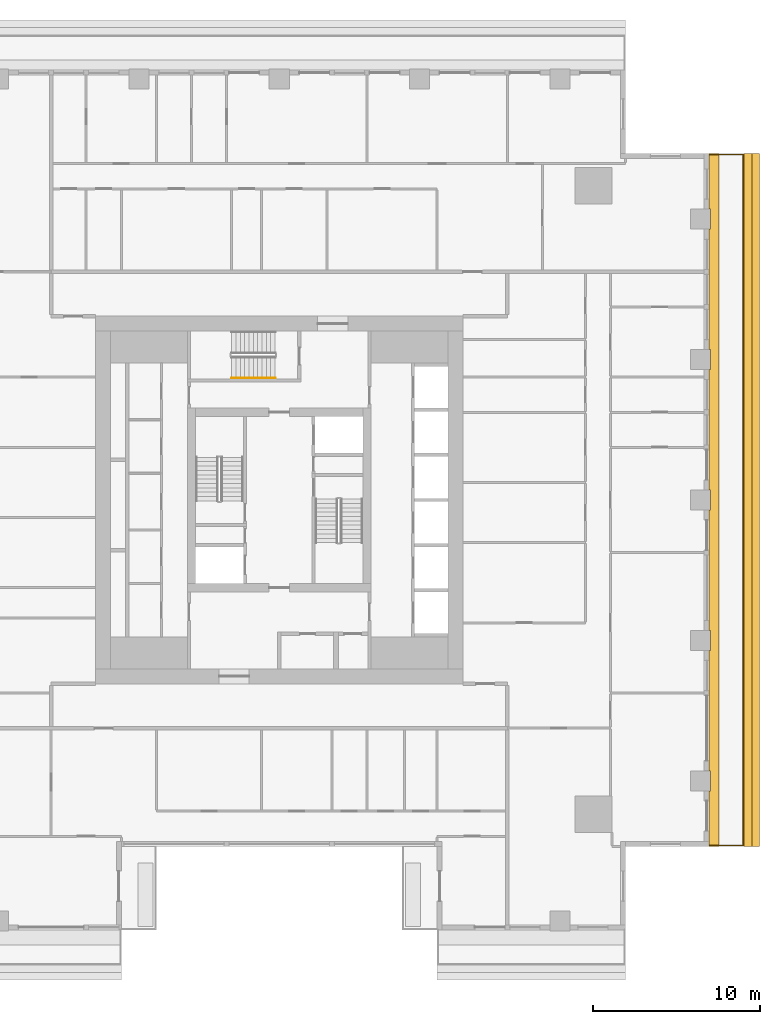
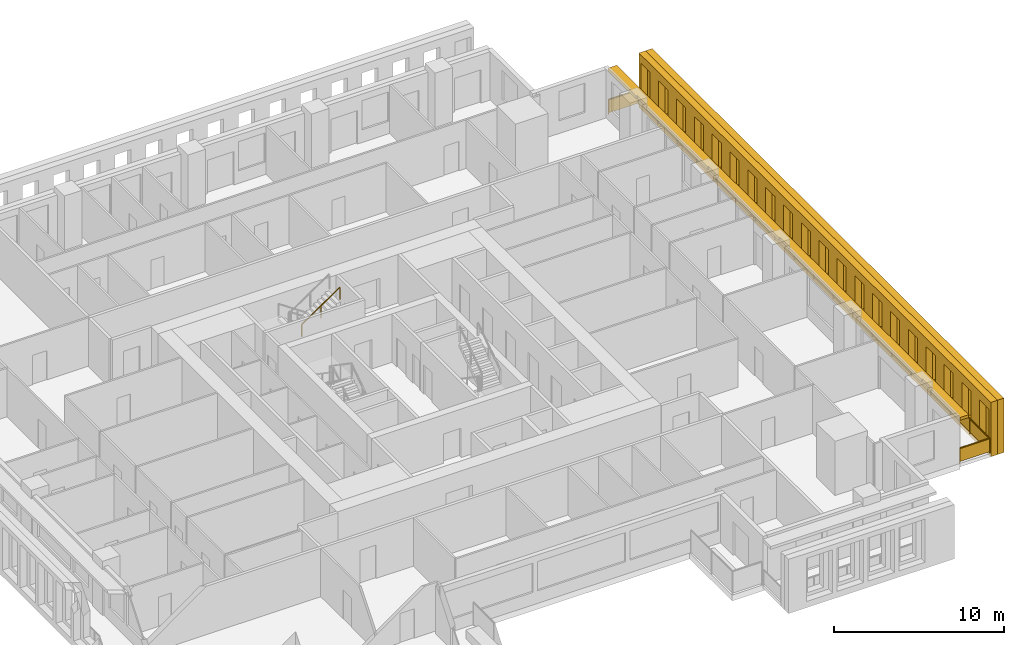
# One storey, part 12 of 14: 3 shading devices, 2 railings.
"""IFC4 building model written with IfcOpenShell, lengths in metres."""

from ifc_helpers import new_model, si_unit, direction, frame, origin, origin_2d, place, context, subcontext, project, spatial, polyline, rectangle, outline, extrude, material, layer, layer_set, type_object, element, save


model = new_model("IFC4")

# Units and contexts
model_context = context("Model", 3, precision=1e-05, world=origin(), true_north=direction((0.0, 1.0)))
body_context = subcontext(model_context, "Body", "Model", "MODEL_VIEW")
ifc_project = project(units=[si_unit("LENGTHUNIT", "METRE"), si_unit("AREAUNIT", "SQUARE_METRE"), si_unit("VOLUMEUNIT", "CUBIC_METRE"), si_unit("PLANEANGLEUNIT", "RADIAN"), si_unit("MASSUNIT", "GRAM", prefix="KILO")], contexts=[model_context])

# Site, building, storey
site_placement = place(None, origin())
site = spatial("IfcSite", under=ifc_project, at=site_placement, CompositionType="ELEMENT")
building_placement = place(site_placement, origin())
building = spatial("IfcBuilding", under=site, at=building_placement, Name="Khepri Terraces", CompositionType="ELEMENT")
storey_placement = place(building_placement, frame((0.0, 0.0, 264.0)))
storey = spatial("IfcBuildingStorey", under=building, at=storey_placement, Name="L63", CompositionType="ELEMENT", Elevation=264.0)

# Railings
ifc_material_1 = material(Name="Stainless steel grade 316", Category="steel")
railing_type_1 = type_object("IfcRailingType", Name="GRD-BAL-1100", PredefinedType="GUARDRAIL", material=ifc_material_1)
railing_1_placement = place(storey_placement, frame((25.719970703125, -20.669921875, 0.0)))
element("IfcRailing", 1, at=railing_1_placement, inside=storey, type_object=railing_type_1, Name="Balcony guard L63 E", PredefinedType="GUARDRAIL", context=body_context, shape_type="SweptSolid", body=[
    extrude(rectangle(XDim=0.050048828125, YDim=0.06005859375, at=origin_2d()), frame((0.0, 0.0, 1.070068359375), z_axis=(1.0, 0.0, 0.0), x_axis=(0.0, 1.0, 0.0)), (0.0, 0.0, 1.0), 2.050048828125),
    extrude(rectangle(XDim=2.0, YDim=0.011962890625, at=origin_2d()), frame((1.02490234375, 0.0, 0.10009765625), z_axis=(0.0, 0.0, 1.0), x_axis=(1.0, 0.0, 0.0)), (0.0, 0.0, 1.0), 0.93994140625),
    extrude(rectangle(XDim=0.050048828125, YDim=0.06005859375, at=origin_2d()), frame((2.050048828125, 0.0, 1.070068359375), z_axis=(0.0, 1.0, 0.0), x_axis=(-1.0, 0.0, 0.0)), (0.0, 0.0, 1.0), 41.33984375),
    extrude(rectangle(XDim=2.24658203125, YDim=0.011962890625, at=origin_2d()), frame((2.050048828125, 1.1484375, 0.10009765625), z_axis=(0.0, 0.0, 1.0), x_axis=(0.0, 1.0, 0.0)), (0.0, 0.0, 1.0), 0.93994140625),
    extrude(rectangle(XDim=2.24658203125, YDim=0.011962890625, at=origin_2d()), frame((2.050048828125, 3.445068359375, 0.10009765625), z_axis=(0.0, 0.0, 1.0), x_axis=(0.0, 1.0, 0.0)), (0.0, 0.0, 1.0), 0.93994140625),
    extrude(rectangle(XDim=2.24658203125, YDim=0.011962890625, at=origin_2d()), frame((2.050048828125, 5.74169921875, 0.10009765625), z_axis=(0.0, 0.0, 1.0), x_axis=(0.0, 1.0, 0.0)), (0.0, 0.0, 1.0), 0.93994140625),
    extrude(rectangle(XDim=2.24658203125, YDim=0.011962890625, at=origin_2d()), frame((2.050048828125, 8.038330078125, 0.10009765625), z_axis=(0.0, 0.0, 1.0), x_axis=(0.0, 1.0, 0.0)), (0.0, 0.0, 1.0), 0.93994140625),
    extrude(rectangle(XDim=2.24658203125, YDim=0.011962890625, at=origin_2d()), frame((2.050048828125, 10.3349609375, 0.10009765625), z_axis=(0.0, 0.0, 1.0), x_axis=(0.0, 1.0, 0.0)), (0.0, 0.0, 1.0), 0.93994140625),
    extrude(rectangle(XDim=2.24658203125, YDim=0.011962890625, at=origin_2d()), frame((2.050048828125, 12.631591796875, 0.10009765625), z_axis=(0.0, 0.0, 1.0), x_axis=(0.0, 1.0, 0.0)), (0.0, 0.0, 1.0), 0.93994140625),
    extrude(rectangle(XDim=2.24658203125, YDim=0.011962890625, at=origin_2d()), frame((2.050048828125, 14.92822265625, 0.10009765625), z_axis=(0.0, 0.0, 1.0), x_axis=(0.0, 1.0, 0.0)), (0.0, 0.0, 1.0), 0.93994140625),
    extrude(rectangle(XDim=2.24658203125, YDim=0.011962890625, at=origin_2d()), frame((2.050048828125, 17.224853515625, 0.10009765625), z_axis=(0.0, 0.0, 1.0), x_axis=(0.0, 1.0, 0.0)), (0.0, 0.0, 1.0), 0.93994140625),
    extrude(rectangle(XDim=2.24658203125, YDim=0.011962890625, at=origin_2d()), frame((2.050048828125, 19.521484375, 0.10009765625), z_axis=(0.0, 0.0, 1.0), x_axis=(0.0, 1.0, 0.0)), (0.0, 0.0, 1.0), 0.93994140625),
    extrude(rectangle(XDim=2.24658203125, YDim=0.011962890625, at=origin_2d()), frame((2.050048828125, 21.818359375, 0.10009765625), z_axis=(0.0, 0.0, 1.0), x_axis=(0.0, 1.0, 0.0)), (0.0, 0.0, 1.0), 0.93994140625),
    extrude(rectangle(XDim=2.24658203125, YDim=0.011962890625, at=origin_2d()), frame((2.050048828125, 24.114990234375, 0.10009765625), z_axis=(0.0, 0.0, 1.0), x_axis=(0.0, 1.0, 0.0)), (0.0, 0.0, 1.0), 0.93994140625),
    extrude(rectangle(XDim=2.24658203125, YDim=0.011962890625, at=origin_2d()), frame((2.050048828125, 26.41162109375, 0.10009765625), z_axis=(0.0, 0.0, 1.0), x_axis=(0.0, 1.0, 0.0)), (0.0, 0.0, 1.0), 0.93994140625),
    extrude(rectangle(XDim=2.24658203125, YDim=0.011962890625, at=origin_2d()), frame((2.050048828125, 28.708251953125, 0.10009765625), z_axis=(0.0, 0.0, 1.0), x_axis=(0.0, 1.0, 0.0)), (0.0, 0.0, 1.0), 0.93994140625),
    extrude(rectangle(XDim=2.24658203125, YDim=0.011962890625, at=origin_2d()), frame((2.050048828125, 31.0048828125, 0.10009765625), z_axis=(0.0, 0.0, 1.0), x_axis=(0.0, 1.0, 0.0)), (0.0, 0.0, 1.0), 0.93994140625),
    extrude(rectangle(XDim=2.24658203125, YDim=0.011962890625, at=origin_2d()), frame((2.050048828125, 33.301513671875, 0.10009765625), z_axis=(0.0, 0.0, 1.0), x_axis=(0.0, 1.0, 0.0)), (0.0, 0.0, 1.0), 0.93994140625),
    extrude(rectangle(XDim=2.24658203125, YDim=0.011962890625, at=origin_2d()), frame((2.050048828125, 35.59814453125, 0.10009765625), z_axis=(0.0, 0.0, 1.0), x_axis=(0.0, 1.0, 0.0)), (0.0, 0.0, 1.0), 0.93994140625),
    extrude(rectangle(XDim=2.24658203125, YDim=0.011962890625, at=origin_2d()), frame((2.050048828125, 37.894775390625, 0.10009765625), z_axis=(0.0, 0.0, 1.0), x_axis=(0.0, 1.0, 0.0)), (0.0, 0.0, 1.0), 0.93994140625),
    extrude(rectangle(XDim=2.24658203125, YDim=0.011962890625, at=origin_2d()), frame((2.050048828125, 40.19140625, 0.10009765625), z_axis=(0.0, 0.0, 1.0), x_axis=(0.0, 1.0, 0.0)), (0.0, 0.0, 1.0), 0.93994140625),
    extrude(rectangle(XDim=0.050048828125, YDim=0.06005859375, at=origin_2d()), frame((2.050048828125, 41.33984375, 1.070068359375), z_axis=(-1.0, 0.0, 0.0), x_axis=(0.0, -1.0, 0.0)), (0.0, 0.0, 1.0), 2.050048828125),
    extrude(rectangle(XDim=2.0, YDim=0.011962890625, at=origin_2d()), frame((1.02490234375, 41.33984375, 0.10009765625), z_axis=(0.0, 0.0, 1.0), x_axis=(-1.0, 0.0, 0.0)), (0.0, 0.0, 1.0), 0.93994140625),
    extrude(rectangle(XDim=0.050048828125, YDim=0.050048828125, at=origin_2d()), origin(), (0.0, 0.0, 1.0), 1.0400390625),
    extrude(rectangle(XDim=0.050048828125, YDim=0.050048828125, at=origin_2d()), frame((2.050048828125, 0.0, 0.0)), (0.0, 0.0, 1.0), 1.0400390625),
    extrude(rectangle(XDim=0.050048828125, YDim=0.050048828125, at=origin_2d()), frame((2.050048828125, 2.296630859375, 0.0)), (0.0, 0.0, 1.0), 1.0400390625),
    extrude(rectangle(XDim=0.050048828125, YDim=0.050048828125, at=origin_2d()), frame((2.050048828125, 4.59326171875, 0.0)), (0.0, 0.0, 1.0), 1.0400390625),
    extrude(rectangle(XDim=0.050048828125, YDim=0.050048828125, at=origin_2d()), frame((2.050048828125, 6.889892578125, 0.0)), (0.0, 0.0, 1.0), 1.0400390625),
    extrude(rectangle(XDim=0.050048828125, YDim=0.050048828125, at=origin_2d()), frame((2.050048828125, 9.1865234375, 0.0)), (0.0, 0.0, 1.0), 1.0400390625),
    extrude(rectangle(XDim=0.050048828125, YDim=0.050048828125, at=origin_2d()), frame((2.050048828125, 11.4833984375, 0.0)), (0.0, 0.0, 1.0), 1.0400390625),
    extrude(rectangle(XDim=0.050048828125, YDim=0.050048828125, at=origin_2d()), frame((2.050048828125, 13.780029296875, 0.0)), (0.0, 0.0, 1.0), 1.0400390625),
    extrude(rectangle(XDim=0.050048828125, YDim=0.050048828125, at=origin_2d()), frame((2.050048828125, 16.07666015625, 0.0)), (0.0, 0.0, 1.0), 1.0400390625),
    extrude(rectangle(XDim=0.050048828125, YDim=0.050048828125, at=origin_2d()), frame((2.050048828125, 18.373291015625, 0.0)), (0.0, 0.0, 1.0), 1.0400390625),
    extrude(rectangle(XDim=0.050048828125, YDim=0.050048828125, at=origin_2d()), frame((2.050048828125, 20.669921875, 0.0)), (0.0, 0.0, 1.0), 1.0400390625),
    extrude(rectangle(XDim=0.050048828125, YDim=0.050048828125, at=origin_2d()), frame((2.050048828125, 22.966552734375, 0.0)), (0.0, 0.0, 1.0), 1.0400390625),
    extrude(rectangle(XDim=0.050048828125, YDim=0.050048828125, at=origin_2d()), frame((2.050048828125, 25.26318359375, 0.0)), (0.0, 0.0, 1.0), 1.0400390625),
    extrude(rectangle(XDim=0.050048828125, YDim=0.050048828125, at=origin_2d()), frame((2.050048828125, 27.559814453125, 0.0)), (0.0, 0.0, 1.0), 1.0400390625),
    extrude(rectangle(XDim=0.050048828125, YDim=0.050048828125, at=origin_2d()), frame((2.050048828125, 29.8564453125, 0.0)), (0.0, 0.0, 1.0), 1.0400390625),
    extrude(rectangle(XDim=0.050048828125, YDim=0.050048828125, at=origin_2d()), frame((2.050048828125, 32.1533203125, 0.0)), (0.0, 0.0, 1.0), 1.0400390625),
    extrude(rectangle(XDim=0.050048828125, YDim=0.050048828125, at=origin_2d()), frame((2.050048828125, 34.449951171875, 0.0)), (0.0, 0.0, 1.0), 1.0400390625),
    extrude(rectangle(XDim=0.050048828125, YDim=0.050048828125, at=origin_2d()), frame((2.050048828125, 36.74658203125, 0.0)), (0.0, 0.0, 1.0), 1.0400390625),
    extrude(rectangle(XDim=0.050048828125, YDim=0.050048828125, at=origin_2d()), frame((2.050048828125, 39.043212890625, 0.0)), (0.0, 0.0, 1.0), 1.0400390625),
    extrude(rectangle(XDim=0.050048828125, YDim=0.050048828125, at=origin_2d()), frame((2.050048828125, 41.33984375, 0.0)), (0.0, 0.0, 1.0), 1.0400390625),
    extrude(rectangle(XDim=0.050048828125, YDim=0.050048828125, at=origin_2d()), frame((0.0, 41.33984375, 0.0)), (0.0, 0.0, 1.0), 1.0400390625),
])
ifc_material_2 = material(Name="Stainless steel 316", Category="steel")
railing_type_2 = type_object("IfcRailingType", Name="RL-CORE-HANDRAIL", PredefinedType="HANDRAIL", material=ifc_material_2)
railing_2_placement = place(storey_placement, frame((-2.85009765625, 7.300048828125, 2.127197265625)))
element("IfcRailing", 2, at=railing_2_placement, inside=storey, type_object=railing_type_2, Name="L63 ST-3 stair handrail 2", PredefinedType="HANDRAIL", context=body_context, shape_type="SweptSolid", body=[
    extrude(rectangle(XDim=0.050048828125, YDim=0.050048828125, at=origin_2d()), frame((0.0, 0.0, 0.875), z_axis=(0.826240473404, 0.0, 0.563317565952), x_axis=(0.0, 1.0, 0.0)), (0.0, 0.0, 1.0), 3.14697265625),
    extrude(rectangle(XDim=0.050048828125, YDim=0.050048828125, at=origin_2d()), origin(), (0.0, 0.0, 1.0), 0.849853515625),
    extrude(rectangle(XDim=0.050048828125, YDim=0.050048828125, at=origin_2d()), frame((1.300048828125, 0.0, 0.88623046875)), (0.0, 0.0, 1.0), 0.849853515625),
    extrude(rectangle(XDim=0.050048828125, YDim=0.050048828125, at=origin_2d()), frame((2.60009765625, 0.0, 1.772705078125)), (0.0, 0.0, 1.0), 0.849853515625),
])

# Shading devices
ifc_material_3 = material(Name="Precast concrete C50/60 warm stone", Category="masonry")
shading_device_type_1 = type_object("IfcShadingDeviceType", Name="SCR-CELL-INNER-450", PredefinedType="USERDEFINED", material=ifc_material_3)
shading_device_1_placement = place(storey_placement, frame((27.820068359375, -20.719970703125, -0.25), z_axis=(1.0, 0.0, 0.0), x_axis=(0.0, 1.0, 0.0)))
element("IfcShadingDevice", 3, at=shading_device_1_placement, inside=storey, type_object=shading_device_type_1, Name="Cell screen L63 E in", ObjectType="SCREEN", PredefinedType="USERDEFINED", context=body_context, shape_type="SweptSolid", body=[
    extrude(outline(polyline([(0.0, 0.0), (41.43994140625, 0.0), (41.43994140625, 3.89990234375), (0.0, 3.89990234375), (0.0, 0.0)]), holes=[polyline([(0.2265625, 0.699951171875), (1.3134765625, 0.699951171875), (1.3134765625, 3.300048828125), (0.2265625, 3.300048828125), (0.2265625, 0.699951171875)]), polyline([(2.32666015625, 0.699951171875), (3.413330078125, 0.699951171875), (3.413330078125, 3.300048828125), (2.32666015625, 3.300048828125), (2.32666015625, 0.699951171875)]), polyline([(4.426513671875, 0.699951171875), (5.513427734375, 0.699951171875), (5.513427734375, 3.300048828125), (4.426513671875, 3.300048828125), (4.426513671875, 0.699951171875)]), polyline([(6.526611328125, 0.699951171875), (7.61328125, 0.699951171875), (7.61328125, 3.300048828125), (6.526611328125, 3.300048828125), (6.526611328125, 0.699951171875)]), polyline([(8.626708984375, 0.699951171875), (9.71337890625, 0.699951171875), (9.71337890625, 3.300048828125), (8.626708984375, 3.300048828125), (8.626708984375, 0.699951171875)]), polyline([(10.7265625, 0.699951171875), (11.8134765625, 0.699951171875), (11.8134765625, 3.300048828125), (10.7265625, 3.300048828125), (10.7265625, 0.699951171875)]), polyline([(12.82666015625, 0.699951171875), (13.913330078125, 0.699951171875), (13.913330078125, 3.300048828125), (12.82666015625, 3.300048828125), (12.82666015625, 0.699951171875)]), polyline([(14.926513671875, 0.699951171875), (16.013427734375, 0.699951171875), (16.013427734375, 3.300048828125), (14.926513671875, 3.300048828125), (14.926513671875, 0.699951171875)]), polyline([(17.026611328125, 0.699951171875), (18.11328125, 0.699951171875), (18.11328125, 3.300048828125), (17.026611328125, 3.300048828125), (17.026611328125, 0.699951171875)]), polyline([(19.126708984375, 0.699951171875), (20.21337890625, 0.699951171875), (20.21337890625, 3.300048828125), (19.126708984375, 3.300048828125), (19.126708984375, 0.699951171875)]), polyline([(21.2265625, 0.699951171875), (22.3134765625, 0.699951171875), (22.3134765625, 3.300048828125), (21.2265625, 3.300048828125), (21.2265625, 0.699951171875)]), polyline([(23.32666015625, 0.699951171875), (24.413330078125, 0.699951171875), (24.413330078125, 3.300048828125), (23.32666015625, 3.300048828125), (23.32666015625, 0.699951171875)]), polyline([(25.426513671875, 0.699951171875), (26.513427734375, 0.699951171875), (26.513427734375, 3.300048828125), (25.426513671875, 3.300048828125), (25.426513671875, 0.699951171875)]), polyline([(27.526611328125, 0.699951171875), (28.61328125, 0.699951171875), (28.61328125, 3.300048828125), (27.526611328125, 3.300048828125), (27.526611328125, 0.699951171875)]), polyline([(29.626708984375, 0.699951171875), (30.71337890625, 0.699951171875), (30.71337890625, 3.300048828125), (29.626708984375, 3.300048828125), (29.626708984375, 0.699951171875)]), polyline([(31.7265625, 0.699951171875), (32.8134765625, 0.699951171875), (32.8134765625, 3.300048828125), (31.7265625, 3.300048828125), (31.7265625, 0.699951171875)]), polyline([(33.82666015625, 0.699951171875), (34.913330078125, 0.699951171875), (34.913330078125, 3.300048828125), (33.82666015625, 3.300048828125), (33.82666015625, 0.699951171875)]), polyline([(35.926513671875, 0.699951171875), (37.013427734375, 0.699951171875), (37.013427734375, 3.300048828125), (35.926513671875, 3.300048828125), (35.926513671875, 0.699951171875)]), polyline([(38.026611328125, 0.699951171875), (39.11328125, 0.699951171875), (39.11328125, 3.300048828125), (38.026611328125, 3.300048828125), (38.026611328125, 0.699951171875)]), polyline([(40.126708984375, 0.699951171875), (41.21337890625, 0.699951171875), (41.21337890625, 3.300048828125), (40.126708984375, 3.300048828125), (40.126708984375, 0.699951171875)])]), origin(), (0.0, 0.0, 1.0), 0.449951171875),
])
shading_device_type_2 = type_object("IfcShadingDeviceType", Name="SCR-CELL-OUTER-450", PredefinedType="USERDEFINED", material=ifc_material_3)
shading_device_2_placement = place(storey_placement, frame((28.27001953125, -20.719970703125, -0.25), z_axis=(1.0, 0.0, 0.0), x_axis=(0.0, 1.0, 0.0)))
element("IfcShadingDevice", 4, at=shading_device_2_placement, inside=storey, type_object=shading_device_type_2, Name="Cell screen L63 E out", ObjectType="SCREEN", PredefinedType="USERDEFINED", context=body_context, shape_type="SweptSolid", body=[
    extrude(outline(polyline([(0.0, 0.0), (41.43994140625, 0.0), (41.43994140625, 3.89990234375), (0.0, 3.89990234375), (0.0, 0.0)]), holes=[polyline([(1.9765625, 0.449951171875), (3.763427734375, 0.449951171875), (3.763427734375, 3.550048828125), (1.9765625, 3.550048828125), (1.9765625, 0.449951171875)]), polyline([(4.07666015625, 0.449951171875), (5.86328125, 0.449951171875), (5.86328125, 3.550048828125), (4.07666015625, 3.550048828125), (4.07666015625, 0.449951171875)]), polyline([(6.176513671875, 0.449951171875), (7.96337890625, 0.449951171875), (7.96337890625, 3.550048828125), (6.176513671875, 3.550048828125), (6.176513671875, 0.449951171875)]), polyline([(8.276611328125, 0.449951171875), (10.0634765625, 0.449951171875), (10.0634765625, 3.550048828125), (8.276611328125, 3.550048828125), (8.276611328125, 0.449951171875)]), polyline([(10.376708984375, 0.449951171875), (12.163330078125, 0.449951171875), (12.163330078125, 3.550048828125), (10.376708984375, 3.550048828125), (10.376708984375, 0.449951171875)]), polyline([(12.4765625, 0.449951171875), (14.263427734375, 0.449951171875), (14.263427734375, 3.550048828125), (12.4765625, 3.550048828125), (12.4765625, 0.449951171875)]), polyline([(14.57666015625, 0.449951171875), (16.36328125, 0.449951171875), (16.36328125, 3.550048828125), (14.57666015625, 3.550048828125), (14.57666015625, 0.449951171875)]), polyline([(16.676513671875, 0.449951171875), (18.46337890625, 0.449951171875), (18.46337890625, 3.550048828125), (16.676513671875, 3.550048828125), (16.676513671875, 0.449951171875)]), polyline([(18.776611328125, 0.449951171875), (20.5634765625, 0.449951171875), (20.5634765625, 3.550048828125), (18.776611328125, 3.550048828125), (18.776611328125, 0.449951171875)]), polyline([(20.876708984375, 0.449951171875), (22.663330078125, 0.449951171875), (22.663330078125, 3.550048828125), (20.876708984375, 3.550048828125), (20.876708984375, 0.449951171875)]), polyline([(22.9765625, 0.449951171875), (24.763427734375, 0.449951171875), (24.763427734375, 3.550048828125), (22.9765625, 3.550048828125), (22.9765625, 0.449951171875)]), polyline([(25.07666015625, 0.449951171875), (26.86328125, 0.449951171875), (26.86328125, 3.550048828125), (25.07666015625, 3.550048828125), (25.07666015625, 0.449951171875)]), polyline([(27.176513671875, 0.449951171875), (28.96337890625, 0.449951171875), (28.96337890625, 3.550048828125), (27.176513671875, 3.550048828125), (27.176513671875, 0.449951171875)]), polyline([(29.276611328125, 0.449951171875), (31.0634765625, 0.449951171875), (31.0634765625, 3.550048828125), (29.276611328125, 3.550048828125), (29.276611328125, 0.449951171875)]), polyline([(31.376708984375, 0.449951171875), (33.163330078125, 0.449951171875), (33.163330078125, 3.550048828125), (31.376708984375, 3.550048828125), (31.376708984375, 0.449951171875)]), polyline([(33.4765625, 0.449951171875), (35.263427734375, 0.449951171875), (35.263427734375, 3.550048828125), (33.4765625, 3.550048828125), (33.4765625, 0.449951171875)]), polyline([(35.57666015625, 0.449951171875), (37.36328125, 0.449951171875), (37.36328125, 3.550048828125), (35.57666015625, 3.550048828125), (35.57666015625, 0.449951171875)]), polyline([(37.676513671875, 0.449951171875), (39.46337890625, 0.449951171875), (39.46337890625, 3.550048828125), (37.676513671875, 3.550048828125), (37.676513671875, 0.449951171875)])]), origin(), (0.0, 0.0, 1.0), 0.449951171875),
])
ifc_layer = layer(ifc_material_3, 0.199951171875, Name="Precast concrete C50/60 warm stone", Category="masonry")
ifc_layer_set = layer_set([ifc_layer], Name="Precast concrete C50/60 warm stone")
shading_device_type_3 = type_object("IfcShadingDeviceType", Name="SSH-BAND-STONE-200-N", PredefinedType="USERDEFINED", material=ifc_layer_set)
shading_device_3_placement = place(storey_placement, frame((0.0, 0.0, 3.10009765625)))
element("IfcShadingDevice", 5, at=shading_device_3_placement, inside=storey, type_object=shading_device_type_3, Name="Sunshade band L63 E", ObjectType="SUNSHADE", PredefinedType="USERDEFINED", context=body_context, shape_type="SweptSolid", body=[
    extrude(outline(polyline([(25.719970703125, -17.39990234375), (25.719970703125, -20.719970703125), (26.320068359375, -20.719970703125), (26.320068359375, 20.719970703125), (25.719970703125, 20.719970703125), (25.719970703125, 17.39990234375), (25.800048828125, 17.39990234375), (25.800048828125, 16.199951171875), (25.719970703125, 16.199951171875), (25.719970703125, 9.0), (25.800048828125, 9.0), (25.800048828125, 7.800048828125), (25.719970703125, 7.800048828125), (25.719970703125, 0.60009765625), (25.800048828125, 0.60009765625), (25.800048828125, -0.60009765625), (25.719970703125, -0.60009765625), (25.719970703125, -7.800048828125), (25.800048828125, -7.800048828125), (25.800048828125, -9.0), (25.719970703125, -9.0), (25.719970703125, -16.199951171875), (25.800048828125, -16.199951171875), (25.800048828125, -17.39990234375), (25.719970703125, -17.39990234375)])), origin(), (0.0, 0.0, 1.0), 0.199951171875),
])

save(model, "model.ifc")
